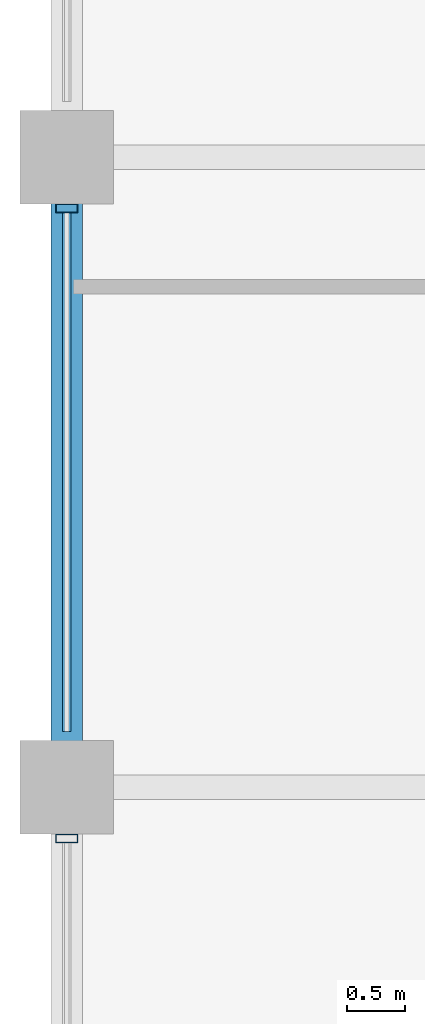
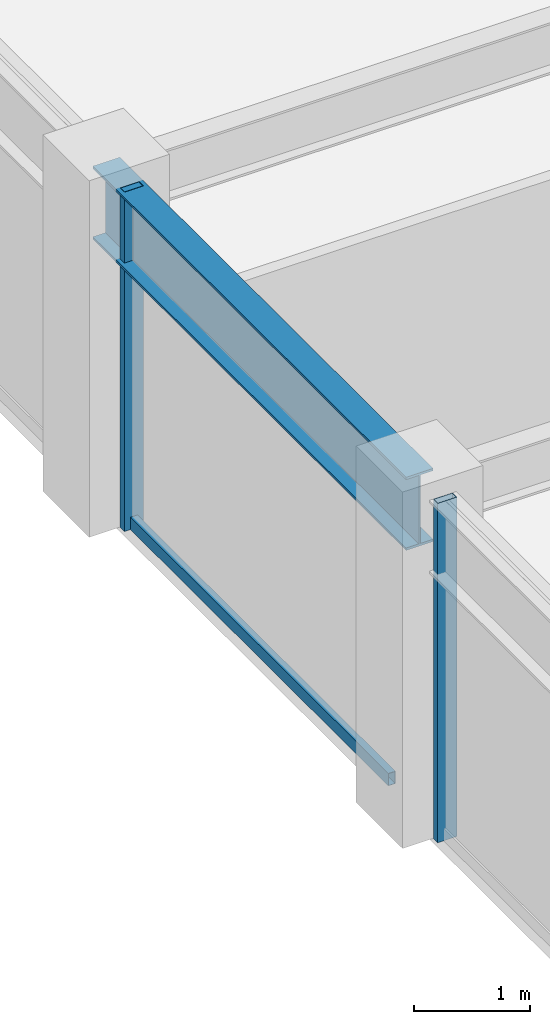
# One storey, part 10 of 32: 3 members, 1 beam, 1 element without a shape of its own.
"""IFC4 building model written with IfcOpenShell, lengths in metres."""

from ifc_helpers import new_model, si_unit, direction, frame, origin, origin_2d, place, context, subcontext, project, spatial, hollow_rectangle, i_section, extrude, material, layer, layer_set, material_profile, profile_set, type_object, element, aggregate, save


model = new_model("IFC4")

# Units and contexts
model_context = context("Model", 3, precision=1e-05, world=origin(), true_north=direction((0.0, 1.0)))
body_context = subcontext(model_context, "Body", "Model", "MODEL_VIEW")
ifc_project = project(units=[si_unit("LENGTHUNIT", "METRE"), si_unit("AREAUNIT", "SQUARE_METRE"), si_unit("VOLUMEUNIT", "CUBIC_METRE"), si_unit("PLANEANGLEUNIT", "RADIAN"), si_unit("MASSUNIT", "GRAM", prefix="KILO")], contexts=[model_context])

# Site, building, storey
site_placement = place(None, origin())
site = spatial("IfcSite", under=ifc_project, at=site_placement, CompositionType="ELEMENT")
building_placement = place(site_placement, origin())
building = spatial("IfcBuilding", under=site, at=building_placement, Name="Surkhivell Harbour Commons", CompositionType="ELEMENT")
storey_placement = place(building_placement, frame((0.0, 0.0, 223.5)))
storey = spatial("IfcBuildingStorey", under=building, at=storey_placement, Name="L58", CompositionType="ELEMENT", Elevation=223.5)

# Beam
ifc_material_1 = material(Name="Steel S355", Category="steel")
ifc_material_profile_1 = material_profile(ifc_material_1, i_section(OverallWidth=0.26806640625, OverallDepth=0.77001953125, WebThickness=0.015625, FlangeThickness=0.025390625, at=origin_2d()), Name="UB762x267x197")
ifc_profile_set_1 = profile_set([ifc_material_profile_1], Name="Steel S355")
beam_type = type_object("IfcBeamType", Name="BM-SPN-762", PredefinedType="SPANDREL", material=ifc_profile_set_1)
beam_placement = place(storey_placement, frame((-27.0, 5.39990234375, 3.18505859375), z_axis=(0.0, 1.0, 0.0), x_axis=(-1.0, 0.0, 0.0)))
element("IfcBeam", 1, at=beam_placement, inside=storey, type_object=beam_type, Name="L58 Tube Spandrel (-27.0,5.4)", PredefinedType="SPANDREL", context=body_context, shape_type="SweptSolid", body=[
    extrude(i_section(OverallWidth=0.26806640625, OverallDepth=0.77001953125, WebThickness=0.015625, FlangeThickness=0.025390625, at=origin_2d()), origin(), (0.0, 0.0, 1.0), 5.400146484375),
])

# Curtain wall, members
ifc_material_2 = material(Name="Anodised pale-metal aluminium and insulated glazing", Category="aluminium")
ifc_layer = layer(ifc_material_2, 0.18994140625)
ifc_layer_set = layer_set([ifc_layer], Name="Anodised pale-metal aluminium and insulated glazing")
curtain_wall_type = type_object("IfcCurtainWallType", Name="CW-SYS-Z3", PredefinedType="NOTDEFINED", material=ifc_layer_set)
curtain_wall_placement = place(storey_placement, origin())
curtain_wall = element("IfcCurtainWall", 2, at=curtain_wall_placement, inside=storey, type_object=curtain_wall_type, Name="L58 Curtain Wall CW-L58-E12S1", PredefinedType="NOTDEFINED")
ifc_material_3 = material(Name="Anodised pale-metal aluminium alloy 6063-T6", Category="aluminium")
ifc_material_profile_2 = material_profile(ifc_material_3, hollow_rectangle(XDim=0.074951171875, YDim=0.18994140625, WallThickness=0.00390625, at=origin_2d()), Name="ALU-MULL-75x190")
ifc_profile_set_2 = profile_set([ifc_material_profile_2], Name="Anodised pale-metal aluminium alloy 6063-T6")
member_type_1 = type_object("IfcMemberType", Name="CWM-190", PredefinedType="MULLION", material=ifc_profile_set_2)
member_1_placement = place(storey_placement, frame((-27.0, 10.360595703125, 0.0), z_axis=(0.0, 0.0, 1.0), x_axis=(0.0, -1.0, 0.0)))
member_1 = element("IfcMember", 3, at=member_1_placement, type_object=member_type_1, Name="CW-Z3 mullion 3", PredefinedType="MULLION", context=body_context, shape_type="SweptSolid", body=[
    extrude(hollow_rectangle(XDim=0.074951171875, YDim=0.18994140625, WallThickness=0.00390625, at=origin_2d()), origin(), (0.0, 0.0, 1.0), 3.570068359375),
])
member_2_placement = place(storey_placement, frame((-27.0, 4.96044921875, 0.0), z_axis=(0.0, 0.0, 1.0), x_axis=(0.0, -1.0, 0.0)))
member_2 = element("IfcMember", 4, at=member_2_placement, type_object=member_type_1, Name="CW-Z3 mullion 4", PredefinedType="MULLION", context=body_context, shape_type="SweptSolid", body=[
    extrude(hollow_rectangle(XDim=0.074951171875, YDim=0.18994140625, WallThickness=0.00390625, at=origin_2d()), origin(), (0.0, 0.0, 1.0), 3.570068359375),
])
ifc_material_4 = material(Name="Champagne anodised aluminium alloy 6063-T6", Category="aluminium")
ifc_material_profile_3 = material_profile(ifc_material_4, hollow_rectangle(XDim=0.070068359375, YDim=0.1298828125, WallThickness=0.00341796875, at=origin_2d()), Name="ALU-TRAN-70x130")
ifc_profile_set_3 = profile_set([ifc_material_profile_3], Name="Champagne anodised aluminium alloy 6063-T6")
member_type_2 = type_object("IfcMemberType", Name="CWT-130", PredefinedType="USERDEFINED", material=ifc_profile_set_3)
member_3_placement = place(storey_placement, frame((-27.0, 10.322998046875, 0.06494140625), z_axis=(0.0, -1.0, 0.0), x_axis=(1.0, 0.0, 0.0)))
member_3 = element("IfcMember", 5, at=member_3_placement, type_object=member_type_2, Name="CW-Z3 transom 3.1", ObjectType="TRANSOM", PredefinedType="USERDEFINED", context=body_context, shape_type="SweptSolid", body=[
    extrude(hollow_rectangle(XDim=0.070068359375, YDim=0.1298828125, WallThickness=0.00341796875, at=origin_2d()), origin(), (0.0, 0.0, 1.0), 4.446044921875),
])
aggregate(curtain_wall, [member_1, member_3, member_2])

save(model, "model.ifc")
